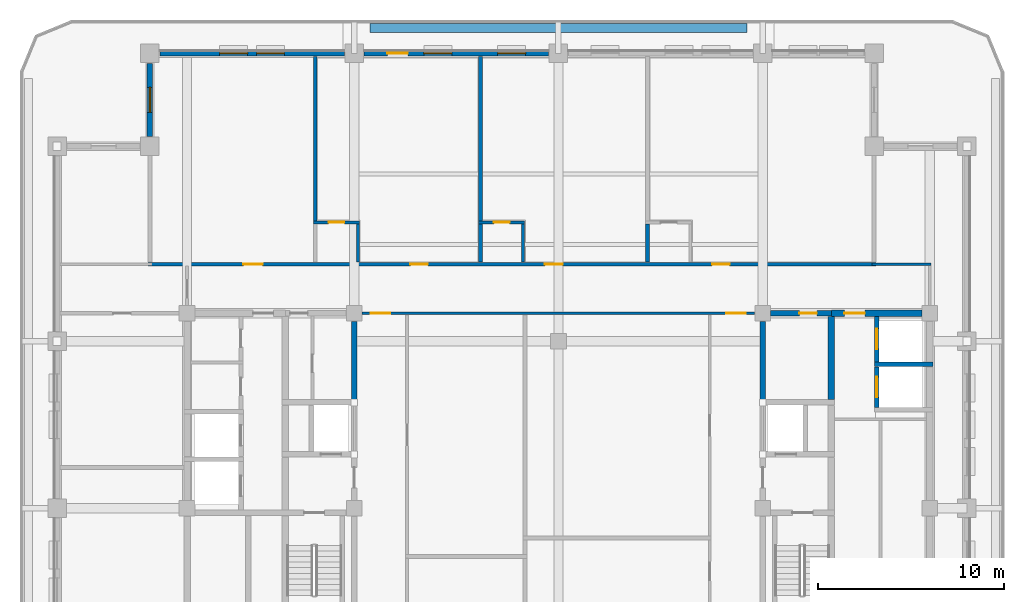
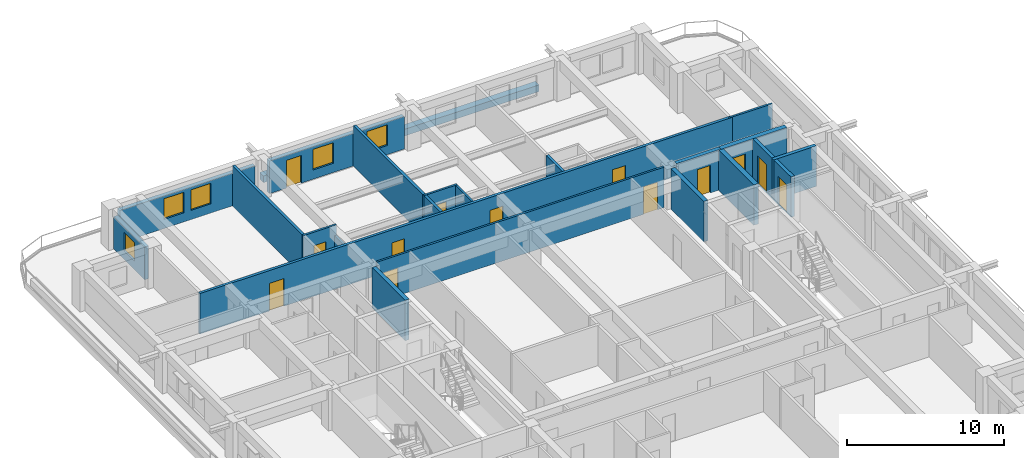
# One storey, part 6 of 14: 23 walls, 13 doors, 5 windows, 18 openings.
"""IFC4 building model written with IfcOpenShell, lengths in metres."""

from ifc_helpers import new_model, si_unit, direction, frame, frame_2d, origin, place, context, subcontext, project, spatial, rectangle, extrude, material, layer, layer_set, type_object, element, fill, save


model = new_model("IFC4")

# Units and contexts
model_context = context("Model", 3, precision=1e-05, world=origin(), true_north=direction((0.0, 1.0)))
body_context = subcontext(model_context, "Body", "Model", "MODEL_VIEW")
ifc_project = project(units=[si_unit("LENGTHUNIT", "METRE"), si_unit("AREAUNIT", "SQUARE_METRE"), si_unit("VOLUMEUNIT", "CUBIC_METRE"), si_unit("PLANEANGLEUNIT", "RADIAN"), si_unit("MASSUNIT", "GRAM", prefix="KILO")], contexts=[model_context])

# Site, building, storey
site_placement = place(None, origin())
site = spatial("IfcSite", under=ifc_project, at=site_placement, CompositionType="ELEMENT")
building_placement = place(site_placement, origin())
building = spatial("IfcBuilding", under=site, at=building_placement, Name="Zulmaris Gate Convention Tower", CompositionType="ELEMENT")
storey_placement = place(building_placement, frame((0.0, 0.0, 211.85986328125)))
storey = spatial("IfcBuildingStorey", under=building, at=storey_placement, Name="L55", CompositionType="ELEMENT", Elevation=211.85986328125)

# Wall
ifc_material_1 = material(Name="Concrete C50/60", Category="concrete")
ifc_layer_1 = layer(ifc_material_1, 0.25, Name="Concrete C50/60")
ifc_layer_set_1 = layer_set([ifc_layer_1], Name="Concrete C50/60")
wall_type_1 = type_object("IfcWallType", Name="CORE-250", PredefinedType="SOLIDWALL", material=ifc_layer_set_1)
wall_1_placement = place(storey_placement, frame((17.02490234375, 7.75, 0.0), z_axis=(0.0, 0.0, 1.0), x_axis=(1.0, 0.0, 0.0)))
element("IfcWall", 1, at=wall_1_placement, inside=storey, type_object=wall_type_1, Name="WL-L55-014", PredefinedType="SOLIDWALL", context=body_context, shape_type="SweptSolid", body=[
    extrude(rectangle(XDim=3.150146484375, YDim=0.25, at=frame_2d((1.5751953125, 0.0))), origin(), (0.0, 0.0, 1.0), 3.150146484375),
])

# Wall, opening, door
wall_2_placement = place(storey_placement, frame((17.14990234375, 5.427001953125, 0.0), z_axis=(0.0, 0.0, 1.0), x_axis=(0.0, 1.0, 0.0)))
wall_2 = element("IfcWall", 2, at=wall_2_placement, inside=storey, type_object=wall_type_1, Name="WL-L55-069", PredefinedType="SOLIDWALL", context=body_context, shape_type="SweptSolid", body=[
    extrude(rectangle(XDim=2.196044921875, YDim=0.25, at=frame_2d((1.09814453125, 0.0))), origin(), (0.0, 0.0, 1.0), 3.150146484375),
])
opening_1_placement = place(wall_2_placement, frame((0.548095703125, 0.0, 0.0)))
opening_1 = element("IfcOpeningElement", 3, at=opening_1_placement, cuts=wall_2, Name="Opening D-06", PredefinedType="OPENING", context=body_context, shape_type="SweptSolid", body=[
    extrude(rectangle(XDim=1.10009765625, YDim=2.199951171875, at=frame_2d((0.550048828125, 1.10009765625))), frame((0.0, 0.135009765625, 0.0), z_axis=(0.0, -1.0, 0.0), x_axis=(1.0, 0.0, 0.0)), (0.0, 0.0, 1.0), 0.27001953125),
])
ifc_material_2 = material(Name="Brushed Stainless Steel", Category="steel")
door_type_1 = type_object("IfcDoorType", Name="LD-1100", OperationType="NOTDEFINED", PredefinedType="DOOR", material=ifc_material_2)
door_1_placement = place(opening_1_placement, origin())
door_1 = element("IfcDoor", 4, at=door_1_placement, inside=storey, type_object=door_type_1, Name="L55 Lift Landing Door HP-01 16", OperationType="SLIDING_TO_RIGHT", OverallHeight=2.199951171875, OverallWidth=1.10009765625, PredefinedType="DOOR", context=body_context, shape_type="SweptSolid", body=[
    extrude(rectangle(XDim=1.10009765625, YDim=2.199951171875, at=frame_2d((0.550048828125, 1.10009765625))), frame((0.0, 0.02490234375, 0.0), z_axis=(0.0, -1.0, 0.0), x_axis=(1.0, 0.0, 0.0)), (0.0, 0.0, 1.0), 0.050048828125),
])
fill(opening_1, door_1)

wall_3_placement = place(storey_placement, frame((17.14990234375, 7.876953125, 0.0), z_axis=(0.0, 0.0, 1.0), x_axis=(0.0, 1.0, 0.0)))
wall_3 = element("IfcWall", 5, at=wall_3_placement, inside=storey, type_object=wall_type_1, Name="WL-L55-070", PredefinedType="SOLIDWALL", context=body_context, shape_type="SweptSolid", body=[
    extrude(rectangle(XDim=2.446044921875, YDim=0.25, at=frame_2d((1.22314453125, 0.0))), origin(), (0.0, 0.0, 1.0), 3.150146484375),
])
opening_2_placement = place(wall_3_placement, frame((0.697998046875, 0.0, 0.0)))
opening_2 = element("IfcOpeningElement", 6, at=opening_2_placement, cuts=wall_3, Name="Opening D-06", PredefinedType="OPENING", context=body_context, shape_type="SweptSolid", body=[
    extrude(rectangle(XDim=1.10009765625, YDim=2.199951171875, at=frame_2d((0.550048828125, 1.10009765625))), frame((0.0, 0.135009765625, 0.0), z_axis=(0.0, -1.0, 0.0), x_axis=(1.0, 0.0, 0.0)), (0.0, 0.0, 1.0), 0.27001953125),
])
door_2_placement = place(opening_2_placement, origin())
door_2 = element("IfcDoor", 7, at=door_2_placement, inside=storey, type_object=door_type_1, Name="L55 Lift Landing Door HP-02 17", OperationType="SLIDING_TO_RIGHT", OverallHeight=2.199951171875, OverallWidth=1.10009765625, PredefinedType="DOOR", context=body_context, shape_type="SweptSolid", body=[
    extrude(rectangle(XDim=1.10009765625, YDim=2.199951171875, at=frame_2d((0.550048828125, 1.10009765625))), frame((0.0, 0.02490234375, 0.0), z_axis=(0.0, -1.0, 0.0), x_axis=(1.0, 0.0, 0.0)), (0.0, 0.0, 1.0), 0.050048828125),
])
fill(opening_2, door_2)

ifc_layer_2 = layer(ifc_material_1, 0.300048828125, Name="Concrete C50/60")
ifc_layer_set_2 = layer_set([ifc_layer_2], Name="Concrete C50/60")
wall_type_2 = type_object("IfcWallType", Name="CORE-300", PredefinedType="SHEAR", material=ifc_layer_set_2)
wall_4_placement = place(storey_placement, frame((11.428955078125, 10.5, 0.0), z_axis=(0.0, 0.0, 1.0), x_axis=(1.0, 0.0, 0.0)))
wall_4 = element("IfcWall", 8, at=wall_4_placement, inside=storey, type_object=wall_type_2, Name="WL-L55-017", PredefinedType="SHEAR", context=body_context, shape_type="SweptSolid", body=[
    extrude(rectangle(XDim=3.27099609375, YDim=0.300048828125, at=frame_2d((1.635498046875, 0.0))), origin(), (0.0, 0.0, 1.0), 3.150146484375),
])
opening_3_placement = place(wall_4_placement, frame((1.5458984375, 0.0, 0.0)))
opening_3 = element("IfcOpeningElement", 9, at=opening_3_placement, cuts=wall_4, Name="Opening D-11", PredefinedType="OPENING", context=body_context, shape_type="SweptSolid", body=[
    extrude(rectangle(XDim=0.949951171875, YDim=2.14990234375, at=frame_2d((0.47509765625, 1.074951171875))), frame((0.0, 0.16015625, 0.0), z_axis=(0.0, -1.0, 0.0), x_axis=(1.0, 0.0, 0.0)), (0.0, 0.0, 1.0), 0.320068359375),
])
ifc_material_3 = material(Name="Fire-Rated Timber", Category="wood")
door_type_2 = type_object("IfcDoorType", Name="DR-950-FD", OperationType="NOTDEFINED", PredefinedType="DOOR", material=ifc_material_3)
door_3_placement = place(opening_3_placement, origin())
door_3 = element("IfcDoor", 10, at=door_3_placement, inside=storey, type_object=door_type_2, Name="L55 Core Tea Pantry Door 09", OperationType="SINGLE_SWING_LEFT", OverallHeight=2.14990234375, OverallWidth=0.949951171875, PredefinedType="DOOR", context=body_context, shape_type="SweptSolid", body=[
    extrude(rectangle(XDim=0.949951171875, YDim=2.14990234375, at=frame_2d((0.47509765625, 1.074951171875))), frame((0.0, 0.02490234375, 0.0), z_axis=(0.0, -1.0, 0.0), x_axis=(1.0, 0.0, 0.0)), (0.0, 0.0, 1.0), 0.050048828125),
])
fill(opening_3, door_3)

# Walls
for number, where, z_axis, x_axis, name in (
    (11, (-11.0, 5.85205078125, 0.0), (0.0, 0.0, 1.0), (0.0, 1.0, 0.0), "WL-L55-058"),
    (12, (11.0, 5.85205078125, 0.0), (0.0, 0.0, 1.0), (0.0, 1.0, 0.0), "WL-L55-062"),
):
    element("IfcWall", number, at=place(storey_placement, frame(where, z_axis=z_axis, x_axis=x_axis)), inside=storey, type_object=wall_type_2, Name=name, PredefinedType="SHEAR", context=body_context, shape_type="SweptSolid", body=[
        extrude(rectangle(XDim=4.218994140625, YDim=0.300048828125, at=frame_2d((2.109375, 0.0))), origin(), (0.0, 0.0, 1.0), 3.150146484375),
    ])

# Wall, opening, door
ifc_material_4 = material(Name="Concrete C55/67", Category="concrete")
ifc_layer_3 = layer(ifc_material_4, 0.35009765625, Name="Concrete C55/67")
ifc_layer_set_3 = layer_set([ifc_layer_3], Name="Concrete C55/67")
wall_type_3 = type_object("IfcWallType", Name="CORE-350", PredefinedType="SHEAR", material=ifc_layer_set_3)
wall_5_placement = place(storey_placement, frame((14.699951171875, 10.5, 0.0), z_axis=(0.0, 0.0, 1.0), x_axis=(1.0, 0.0, 0.0)))
wall_5 = element("IfcWall", 13, at=wall_5_placement, inside=storey, type_object=wall_type_3, Name="WL-L55-018", PredefinedType="SHEAR", context=body_context, shape_type="SweptSolid", body=[
    extrude(rectangle(XDim=4.87109375, YDim=0.35009765625, at=frame_2d((2.435546875, 0.0))), origin(), (0.0, 0.0, 1.0), 3.150146484375),
])
opening_4_placement = place(wall_5_placement, frame((0.699951171875, 0.0, 0.0)))
opening_4 = element("IfcOpeningElement", 14, at=opening_4_placement, cuts=wall_5, Name="Opening D-08", PredefinedType="OPENING", context=body_context, shape_type="SweptSolid", body=[
    extrude(rectangle(XDim=1.10009765625, YDim=2.14990234375, at=frame_2d((0.550048828125, 1.074951171875))), frame((0.0, 0.18505859375, 0.0), z_axis=(0.0, -1.0, 0.0), x_axis=(1.0, 0.0, 0.0)), (0.0, 0.0, 1.0), 0.3701171875),
])
ifc_material_5 = material(Name="Fire-Rated Steel", Category="steel")
door_type_3 = type_object("IfcDoorType", Name="DR-1100-FD", OperationType="NOTDEFINED", PredefinedType="DOOR", material=ifc_material_5)
door_4_placement = place(opening_4_placement, origin())
door_4 = element("IfcDoor", 15, at=door_4_placement, inside=storey, type_object=door_type_3, Name="L55 High-Rise East Lift Lobby Door 18", OperationType="SINGLE_SWING_RIGHT", OverallHeight=2.14990234375, OverallWidth=1.10009765625, PredefinedType="DOOR", context=body_context, shape_type="SweptSolid", body=[
    extrude(rectangle(XDim=1.10009765625, YDim=2.14990234375, at=frame_2d((0.550048828125, 1.074951171875))), frame((0.0, 0.02490234375, 0.0), z_axis=(0.0, -1.0, 0.0), x_axis=(1.0, 0.0, 0.0)), (0.0, 0.0, 1.0), 0.050048828125),
])
fill(opening_4, door_4)

# Wall
wall_6_placement = place(storey_placement, frame((14.699951171875, 5.85205078125, 0.0), z_axis=(0.0, 0.0, 1.0), x_axis=(0.0, 1.0, 0.0)))
element("IfcWall", 16, at=wall_6_placement, inside=storey, type_object=wall_type_3, Name="WL-L55-068", PredefinedType="SHEAR", context=body_context, shape_type="SweptSolid", body=[
    extrude(rectangle(XDim=4.470947265625, YDim=0.35009765625, at=frame_2d((2.2353515625, 0.0))), origin(), (0.0, 0.0, 1.0), 3.150146484375),
])

# Wall, openings, doors
ifc_material_6 = material(Name="Gypsum Metal Stud Partition")
ifc_layer_4 = layer(ifc_material_6, 0.14990234375, Name="Gypsum Metal Stud Partition")
ifc_layer_set_4 = layer_set([ifc_layer_4], Name="Gypsum Metal Stud Partition")
wall_type_4 = type_object("IfcWallType", Name="PART-150", PredefinedType="PARTITIONING", material=ifc_layer_set_4)
wall_7_placement = place(storey_placement, frame((-10.569091796875, 10.5, 0.0), z_axis=(0.0, 0.0, 1.0), x_axis=(1.0, 0.0, 0.0)))
wall_7 = element("IfcWall", 17, at=wall_7_placement, inside=storey, type_object=wall_type_4, Name="WL-L55-035", PredefinedType="PARTITIONING", context=body_context, shape_type="SweptSolid", body=[
    extrude(rectangle(XDim=21.13818359375, YDim=0.14990234375, at=frame_2d((10.569091796875, 0.0))), origin(), (0.0, 0.0, 1.0), 3.150146484375),
])
opening_5_placement = place(wall_7_placement, frame((0.47412109375, 0.0, 0.0)))
opening_5 = element("IfcOpeningElement", 18, at=opening_5_placement, cuts=wall_7, Name="Opening D-09", PredefinedType="OPENING", context=body_context, shape_type="SweptSolid", body=[
    extrude(rectangle(XDim=1.050048828125, YDim=2.14990234375, at=frame_2d((0.52490234375, 1.074951171875))), frame((0.0, 0.0849609375, 0.0), z_axis=(0.0, -1.0, 0.0), x_axis=(1.0, 0.0, 0.0)), (0.0, 0.0, 1.0), 0.169921875),
])
opening_6_placement = place(wall_7_placement, frame((19.614013671875, 0.0, 0.0)))
opening_6 = element("IfcOpeningElement", 19, at=opening_6_placement, cuts=wall_7, Name="Opening D-09", PredefinedType="OPENING", context=body_context, shape_type="SweptSolid", body=[
    extrude(rectangle(XDim=1.050048828125, YDim=2.14990234375, at=frame_2d((0.52490234375, 1.074951171875))), frame((0.0, 0.0849609375, 0.0), z_axis=(0.0, -1.0, 0.0), x_axis=(1.0, 0.0, 0.0)), (0.0, 0.0, 1.0), 0.169921875),
])
door_type_4 = type_object("IfcDoorType", Name="DR-1050-FD", OperationType="NOTDEFINED", PredefinedType="DOOR", material=ifc_material_5)
door_5_placement = place(opening_5_placement, origin())
door_5 = element("IfcDoor", 20, at=door_5_placement, inside=storey, type_object=door_type_4, Name="L55 NW Hotel Loop Door 21", OperationType="SINGLE_SWING_LEFT", OverallHeight=2.14990234375, OverallWidth=1.050048828125, PredefinedType="DOOR", context=body_context, shape_type="SweptSolid", body=[
    extrude(rectangle(XDim=1.050048828125, YDim=2.14990234375, at=frame_2d((0.52490234375, 1.074951171875))), frame((0.0, 0.02490234375, 0.0), z_axis=(0.0, -1.0, 0.0), x_axis=(1.0, 0.0, 0.0)), (0.0, 0.0, 1.0), 0.050048828125),
])
fill(opening_5, door_5)
door_6_placement = place(opening_6_placement, origin())
door_6 = element("IfcDoor", 21, at=door_6_placement, inside=storey, type_object=door_type_4, Name="L55 NE Hotel Loop Door 23", OperationType="SINGLE_SWING_LEFT", OverallHeight=2.14990234375, OverallWidth=1.050048828125, PredefinedType="DOOR", context=body_context, shape_type="SweptSolid", body=[
    extrude(rectangle(XDim=1.050048828125, YDim=2.14990234375, at=frame_2d((0.52490234375, 1.074951171875))), frame((0.0, 0.02490234375, 0.0), z_axis=(0.0, -1.0, 0.0), x_axis=(1.0, 0.0, 0.0)), (0.0, 0.0, 1.0), 0.050048828125),
])
fill(opening_6, door_6)

# Wall
wall_8_placement = place(storey_placement, frame((16.89990234375, 13.14990234375, 0.0), z_axis=(0.0, 0.0, 1.0), x_axis=(1.0, 0.0, 0.0)))
element("IfcWall", 22, at=wall_8_placement, inside=storey, type_object=wall_type_4, Name="WL-L55-038", PredefinedType="PARTITIONING", context=body_context, shape_type="SweptSolid", body=[
    extrude(rectangle(XDim=3.175048828125, YDim=0.14990234375, at=frame_2d((1.58740234375, 0.0))), origin(), (0.0, 0.0, 1.0), 3.150146484375),
])

# Wall, opening, door
wall_9_placement = place(storey_placement, frame((-13.199951171875, 15.39990234375, 0.0), z_axis=(0.0, 0.0, 1.0), x_axis=(1.0, 0.0, 0.0)))
wall_9 = element("IfcWall", 23, at=wall_9_placement, inside=storey, type_object=wall_type_4, Name="WL-L55-039", PredefinedType="PARTITIONING", context=body_context, shape_type="SweptSolid", body=[
    extrude(rectangle(XDim=2.474853515625, YDim=0.14990234375, at=frame_2d((1.2373046875, 0.0))), origin(), (0.0, 0.0, 1.0), 3.150146484375),
])
opening_7_placement = place(wall_9_placement, frame((0.824951171875, 0.0, 0.0)))
opening_7 = element("IfcOpeningElement", 24, at=opening_7_placement, cuts=wall_9, Name="Opening D-17", PredefinedType="OPENING", context=body_context, shape_type="SweptSolid", body=[
    extrude(rectangle(XDim=0.85009765625, YDim=2.10009765625, at=frame_2d((0.425048828125, 1.050048828125))), frame((0.0, 0.0849609375, 0.0), z_axis=(0.0, -1.0, 0.0), x_axis=(1.0, 0.0, 0.0)), (0.0, 0.0, 1.0), 0.169921875),
])
ifc_material_7 = material(Name="Moisture-Resistant Hardwood Timber", Category="wood")
door_type_5 = type_object("IfcDoorType", Name="DR-850", OperationType="NOTDEFINED", PredefinedType="DOOR", material=ifc_material_7)
door_7_placement = place(opening_7_placement, origin())
door_7 = element("IfcDoor", 25, at=door_7_placement, inside=storey, type_object=door_type_5, Name="L55 En-Suite Door 27", OperationType="SINGLE_SWING_LEFT", OverallHeight=2.10009765625, OverallWidth=0.85009765625, PredefinedType="DOOR", context=body_context, shape_type="SweptSolid", body=[
    extrude(rectangle(XDim=0.85009765625, YDim=2.10009765625, at=frame_2d((0.425048828125, 1.050048828125))), frame((0.0, 0.02490234375, 0.0), z_axis=(0.0, -1.0, 0.0), x_axis=(1.0, 0.0, 0.0)), (0.0, 0.0, 1.0), 0.050048828125),
])
fill(opening_7, door_7)

wall_10_placement = place(storey_placement, frame((-4.300048828125, 15.39990234375, 0.0), z_axis=(0.0, 0.0, 1.0), x_axis=(1.0, 0.0, 0.0)))
wall_10 = element("IfcWall", 26, at=wall_10_placement, inside=storey, type_object=wall_type_4, Name="WL-L55-040", PredefinedType="PARTITIONING", context=body_context, shape_type="SweptSolid", body=[
    extrude(rectangle(XDim=2.47509765625, YDim=0.14990234375, at=frame_2d((1.237548828125, 0.0))), origin(), (0.0, 0.0, 1.0), 3.150146484375),
])
opening_8_placement = place(wall_10_placement, frame((0.824951171875, 0.0, 0.0)))
opening_8 = element("IfcOpeningElement", 27, at=opening_8_placement, cuts=wall_10, Name="Opening D-17", PredefinedType="OPENING", context=body_context, shape_type="SweptSolid", body=[
    extrude(rectangle(XDim=0.85009765625, YDim=2.10009765625, at=frame_2d((0.425048828125, 1.050048828125))), frame((0.0, 0.0849609375, 0.0), z_axis=(0.0, -1.0, 0.0), x_axis=(1.0, 0.0, 0.0)), (0.0, 0.0, 1.0), 0.169921875),
])
door_8_placement = place(opening_8_placement, origin())
door_8 = element("IfcDoor", 28, at=door_8_placement, inside=storey, type_object=door_type_5, Name="L55 En-Suite Door 29", OperationType="SINGLE_SWING_LEFT", OverallHeight=2.10009765625, OverallWidth=0.85009765625, PredefinedType="DOOR", context=body_context, shape_type="SweptSolid", body=[
    extrude(rectangle(XDim=0.85009765625, YDim=2.10009765625, at=frame_2d((0.425048828125, 1.050048828125))), frame((0.0, 0.02490234375, 0.0), z_axis=(0.0, -1.0, 0.0), x_axis=(1.0, 0.0, 0.0)), (0.0, 0.0, 1.0), 0.050048828125),
])
fill(opening_8, door_8)

# Walls
wall_11_placement = place(storey_placement, frame((-10.800048828125, 13.2529296875, 0.0), z_axis=(0.0, 0.0, 1.0), x_axis=(0.0, 1.0, 0.0)))
element("IfcWall", 29, at=wall_11_placement, inside=storey, type_object=wall_type_4, Name="WL-L55-088", PredefinedType="PARTITIONING", context=body_context, shape_type="SweptSolid", body=[
    extrude(rectangle(XDim=2.069091796875, YDim=0.14990234375, at=frame_2d((1.03466796875, 0.0))), origin(), (0.0, 0.0, 1.0), 2.342041015625),
])
wall_12_placement = place(storey_placement, frame((-1.89990234375, 13.2529296875, 0.0), z_axis=(0.0, 0.0, 1.0), x_axis=(0.0, 1.0, 0.0)))
element("IfcWall", 30, at=wall_12_placement, inside=storey, type_object=wall_type_4, Name="WL-L55-096", PredefinedType="PARTITIONING", context=body_context, shape_type="SweptSolid", body=[
    extrude(rectangle(XDim=2.069091796875, YDim=0.14990234375, at=frame_2d((1.03466796875, 0.0))), origin(), (0.0, 0.0, 1.0), 3.150146484375),
])

# Wall, openings, doors
ifc_material_8 = material(Name="Autoclaved Aerated Concrete Block and Plasterboard", Category="concrete")
ifc_layer_5 = layer(ifc_material_8, 0.199951171875, Name="Autoclaved Aerated Concrete Block and Plasterboard")
ifc_layer_set_5 = layer_set([ifc_layer_5], Name="Autoclaved Aerated Concrete Block and Plasterboard")
wall_type_5 = type_object("IfcWallType", Name="PART-200", PredefinedType="PARTITIONING", material=ifc_layer_set_5)
wall_13_placement = place(storey_placement, frame((-22.10009765625, 13.14990234375, 0.0), z_axis=(0.0, 0.0, 1.0), x_axis=(1.0, 0.0, 0.0)))
wall_13 = element("IfcWall", 31, at=wall_13_placement, inside=storey, type_object=wall_type_5, Name="WL-L55-037", PredefinedType="PARTITIONING", context=body_context, shape_type="SweptSolid", body=[
    extrude(rectangle(XDim=39.2001953125, YDim=0.199951171875, at=frame_2d((19.60009765625, 0.0))), origin(), (0.0, 0.0, 1.0), 3.150146484375),
])
opening_9_placement = place(wall_13_placement, frame((5.125, 0.0, 0.0)))
opening_9 = element("IfcOpeningElement", 32, at=opening_9_placement, cuts=wall_13, Name="Opening D-09", PredefinedType="OPENING", context=body_context, shape_type="SweptSolid", body=[
    extrude(rectangle(XDim=1.050048828125, YDim=2.14990234375, at=frame_2d((0.52490234375, 1.074951171875))), frame((0.0, 0.10986328125, 0.0), z_axis=(0.0, -1.0, 0.0), x_axis=(1.0, 0.0, 0.0)), (0.0, 0.0, 1.0), 0.219970703125),
])
opening_10_placement = place(wall_13_placement, frame((14.125, 0.0, 0.0)))
opening_10 = element("IfcOpeningElement", 33, at=opening_10_placement, cuts=wall_13, Name="Opening D-11", PredefinedType="OPENING", context=body_context, shape_type="SweptSolid", body=[
    extrude(rectangle(XDim=0.949951171875, YDim=2.14990234375, at=frame_2d((0.47509765625, 1.074951171875))), frame((0.0, 0.10986328125, 0.0), z_axis=(0.0, -1.0, 0.0), x_axis=(1.0, 0.0, 0.0)), (0.0, 0.0, 1.0), 0.219970703125),
])
opening_11_placement = place(wall_13_placement, frame((21.375, 0.0, 0.0)))
opening_11 = element("IfcOpeningElement", 34, at=opening_11_placement, cuts=wall_13, Name="Opening D-11", PredefinedType="OPENING", context=body_context, shape_type="SweptSolid", body=[
    extrude(rectangle(XDim=0.949951171875, YDim=2.14990234375, at=frame_2d((0.47509765625, 1.074951171875))), frame((0.0, 0.10986328125, 0.0), z_axis=(0.0, -1.0, 0.0), x_axis=(1.0, 0.0, 0.0)), (0.0, 0.0, 1.0), 0.219970703125),
])
opening_12_placement = place(wall_13_placement, frame((30.375, 0.0, 0.0)))
opening_12 = element("IfcOpeningElement", 35, at=opening_12_placement, cuts=wall_13, Name="Opening D-11", PredefinedType="OPENING", context=body_context, shape_type="SweptSolid", body=[
    extrude(rectangle(XDim=0.949951171875, YDim=2.14990234375, at=frame_2d((0.47509765625, 1.074951171875))), frame((0.0, 0.10986328125, 0.0), z_axis=(0.0, -1.0, 0.0), x_axis=(1.0, 0.0, 0.0)), (0.0, 0.0, 1.0), 0.219970703125),
])
door_9_placement = place(opening_9_placement, origin())
door_9 = element("IfcDoor", 36, at=door_9_placement, inside=storey, type_object=door_type_4, Name="L55 Hotel Diplomatic Reception Salon Door 25", OperationType="SINGLE_SWING_LEFT", OverallHeight=2.14990234375, OverallWidth=1.050048828125, PredefinedType="DOOR", context=body_context, shape_type="SweptSolid", body=[
    extrude(rectangle(XDim=1.050048828125, YDim=2.14990234375, at=frame_2d((0.52490234375, 1.074951171875))), frame((0.0, 0.02490234375, 0.0), z_axis=(0.0, -1.0, 0.0), x_axis=(1.0, 0.0, 0.0)), (0.0, 0.0, 1.0), 0.050048828125),
])
fill(opening_9, door_9)
door_10_placement = place(opening_10_placement, origin())
door_10 = element("IfcDoor", 37, at=door_10_placement, inside=storey, type_object=door_type_2, Name="L55 Hotel Diplomatic Suite Door 26", OperationType="SINGLE_SWING_RIGHT", OverallHeight=2.14990234375, OverallWidth=0.949951171875, PredefinedType="DOOR", context=body_context, shape_type="SweptSolid", body=[
    extrude(rectangle(XDim=0.949951171875, YDim=2.14990234375, at=frame_2d((0.47509765625, 1.074951171875))), frame((0.0, 0.02490234375, 0.0), z_axis=(0.0, -1.0, 0.0), x_axis=(1.0, 0.0, 0.0)), (0.0, 0.0, 1.0), 0.050048828125),
])
fill(opening_10, door_10)
door_11_placement = place(opening_11_placement, origin())
door_11 = element("IfcDoor", 38, at=door_11_placement, inside=storey, type_object=door_type_2, Name="L55 Hotel Diplomatic Suite Door 28", OperationType="SINGLE_SWING_RIGHT", OverallHeight=2.14990234375, OverallWidth=0.949951171875, PredefinedType="DOOR", context=body_context, shape_type="SweptSolid", body=[
    extrude(rectangle(XDim=0.949951171875, YDim=2.14990234375, at=frame_2d((0.47509765625, 1.074951171875))), frame((0.0, 0.02490234375, 0.0), z_axis=(0.0, -1.0, 0.0), x_axis=(1.0, 0.0, 0.0)), (0.0, 0.0, 1.0), 0.050048828125),
])
fill(opening_11, door_11)
door_12_placement = place(opening_12_placement, origin())
door_12 = element("IfcDoor", 39, at=door_12_placement, inside=storey, type_object=door_type_2, Name="L55 Hotel Diplomatic Suite Door 30", OperationType="SINGLE_SWING_RIGHT", OverallHeight=2.14990234375, OverallWidth=0.949951171875, PredefinedType="DOOR", context=body_context, shape_type="SweptSolid", body=[
    extrude(rectangle(XDim=0.949951171875, YDim=2.14990234375, at=frame_2d((0.47509765625, 1.074951171875))), frame((0.0, 0.02490234375, 0.0), z_axis=(0.0, -1.0, 0.0), x_axis=(1.0, 0.0, 0.0)), (0.0, 0.0, 1.0), 0.050048828125),
])
fill(opening_12, door_12)

# Walls
wall_14_placement = place(storey_placement, frame((-13.10009765625, 15.47802734375, 0.0), z_axis=(0.0, 0.0, 1.0), x_axis=(0.0, 1.0, 0.0)))
element("IfcWall", 40, at=wall_14_placement, inside=storey, type_object=wall_type_5, Name="WL-L55-086", PredefinedType="PARTITIONING", context=body_context, shape_type="SweptSolid", body=[
    extrude(rectangle(XDim=8.85693359375, YDim=0.199951171875, at=frame_2d((4.428466796875, 0.0))), origin(), (0.0, 0.0, 1.0), 3.150146484375),
])
wall_15_placement = place(storey_placement, frame((-4.199951171875, 13.2529296875, 0.0), z_axis=(0.0, 0.0, 1.0), x_axis=(0.0, 1.0, 0.0)))
element("IfcWall", 41, at=wall_15_placement, inside=storey, type_object=wall_type_5, Name="WL-L55-093", PredefinedType="PARTITIONING", context=body_context, shape_type="SweptSolid", body=[
    extrude(rectangle(XDim=2.069091796875, YDim=0.199951171875, at=frame_2d((1.03466796875, 0.0))), origin(), (0.0, 0.0, 1.0), 3.150146484375),
])
wall_16_placement = place(storey_placement, frame((-4.199951171875, 15.47802734375, 0.0), z_axis=(0.0, 0.0, 1.0), x_axis=(0.0, 1.0, 0.0)))
element("IfcWall", 42, at=wall_16_placement, inside=storey, type_object=wall_type_5, Name="WL-L55-094", PredefinedType="PARTITIONING", context=body_context, shape_type="SweptSolid", body=[
    extrude(rectangle(XDim=8.85693359375, YDim=0.199951171875, at=frame_2d((4.428466796875, 0.0))), origin(), (0.0, 0.0, 1.0), 3.150146484375),
])
wall_17_placement = place(storey_placement, frame((4.800048828125, 13.2529296875, 0.0), z_axis=(0.0, 0.0, 1.0), x_axis=(0.0, 1.0, 0.0)))
element("IfcWall", 43, at=wall_17_placement, inside=storey, type_object=wall_type_5, Name="WL-L55-103", PredefinedType="PARTITIONING", context=body_context, shape_type="SweptSolid", body=[
    extrude(rectangle(XDim=2.069091796875, YDim=0.199951171875, at=frame_2d((1.03466796875, 0.0))), origin(), (0.0, 0.0, 1.0), 3.150146484375),
])
ifc_material_9 = material(Name="Botanical Green Glazed Precast Concrete C40/50", Category="concrete")
ifc_layer_6 = layer(ifc_material_9, 0.419921875, Name="Botanical Green Glazed Precast Concrete C40/50")
ifc_layer_set_6 = layer_set([ifc_layer_6], Name="Botanical Green Glazed Precast Concrete C40/50")
wall_type_6 = type_object("IfcWallType", Name="PLANTER-CURB-200", PredefinedType="PARAPET", material=ifc_layer_set_6)
wall_18_placement = place(storey_placement, frame((-10.14990234375, 25.8798828125, -0.0400390625), z_axis=(0.0, 0.0, 1.0), x_axis=(1.0, 0.0, 0.0)))
element("IfcWall", 44, at=wall_18_placement, inside=storey, type_object=wall_type_6, Name="L55 Full-Length Balcony Tree Planter Trough", PredefinedType="PARAPET", context=body_context, shape_type="SweptSolid", body=[
    extrude(rectangle(XDim=20.2998046875, YDim=0.47998046875, at=frame_2d((10.14990234375, 0.0))), origin(), (0.0, 0.0, 1.0), 0.52001953125),
])

# Wall, opening, window
ifc_material_10 = material(Name="Precast concrete C40/50", Category="concrete")
ifc_layer_7 = layer(ifc_material_10, 0.300048828125, Name="Precast concrete C40/50")
ifc_layer_set_7 = layer_set([ifc_layer_7], Name="Precast concrete C40/50")
wall_type_7 = type_object("IfcWallType", Name="PRECAST-PIER-300", PredefinedType="STANDARD", material=ifc_layer_set_7)
wall_19_placement = place(storey_placement, frame((-22.0, 23.969970703125, 0.0), z_axis=(0.0, 0.0, 1.0), x_axis=(0.0, -1.0, 0.0)))
wall_19 = element("IfcWall", 45, at=wall_19_placement, inside=storey, type_object=wall_type_7, Name="EW-L55-NOTCH-NW1_0", PredefinedType="STANDARD", context=body_context, shape_type="SweptSolid", body=[
    extrude(rectangle(XDim=3.93994140625, YDim=0.300048828125, at=frame_2d((1.969970703125, 0.0))), origin(), (0.0, 0.0, 1.0), 2.542236328125),
])
opening_13_placement = place(wall_19_placement, frame((1.294921875, 0.0, 0.679931640625)))
opening_13 = element("IfcOpeningElement", 46, at=opening_13_placement, cuts=wall_19, Name="Opening W-10", PredefinedType="OPENING", context=body_context, shape_type="SweptSolid", body=[
    extrude(rectangle(XDim=1.35009765625, YDim=1.419921875, at=frame_2d((0.675048828125, 0.7099609375))), frame((0.0, 0.16015625, 0.0), z_axis=(0.0, -1.0, 0.0), x_axis=(1.0, 0.0, 0.0)), (0.0, 0.0, 1.0), 0.320068359375),
])
ifc_material_11 = material(Name="Low-E Laminated Double Glazing in Aluminium Frame", Category="aluminium")
window_type_1 = type_object("IfcWindowType", Name="WIN-1350x2000", PartitioningType="SINGLE_PANEL", PredefinedType="WINDOW", material=ifc_material_11)
window_1_placement = place(opening_13_placement, origin())
window_1 = element("IfcWindow", 47, at=window_1_placement, inside=storey, type_object=window_type_1, Name="WN-EW-L55-NOTCH-NW1_0", OverallHeight=1.419921875, OverallWidth=1.35009765625, PartitioningType="SINGLE_PANEL", PredefinedType="WINDOW", context=body_context, shape_type="SweptSolid", body=[
    extrude(rectangle(XDim=1.35009765625, YDim=1.419921875, at=frame_2d((0.675048828125, 0.7099609375))), frame((0.0, 0.030029296875, 0.0), z_axis=(0.0, -1.0, 0.0), x_axis=(1.0, 0.0, 0.0)), (0.0, 0.0, 1.0), 0.06005859375),
])
fill(opening_13, window_1)

# Wall, openings, windows
wall_20_placement = place(storey_placement, frame((-11.530029296875, 24.5, 0.0), z_axis=(0.0, 0.0, 1.0), x_axis=(-1.0, 0.0, 0.0)))
wall_20 = element("IfcWall", 48, at=wall_20_placement, inside=storey, type_object=wall_type_7, Name="EW-L55-N-0_0", PredefinedType="STANDARD", context=body_context, shape_type="SweptSolid", body=[
    extrude(rectangle(XDim=9.93994140625, YDim=0.300048828125, at=frame_2d((4.969970703125, 0.0))), origin(), (0.0, 0.0, 1.0), 2.542236328125),
])
opening_14_placement = place(wall_20_placement, frame((3.22607421875, 0.0, 0.719970703125)))
opening_14 = element("IfcOpeningElement", 49, at=opening_14_placement, cuts=wall_20, Name="Opening W-03", PredefinedType="OPENING", context=body_context, shape_type="SweptSolid", body=[
    extrude(rectangle(XDim=1.5, YDim=1.60009765625, at=frame_2d((0.75, 0.800048828125))), frame((0.0, 0.16015625, 0.0), z_axis=(0.0, -1.0, 0.0), x_axis=(1.0, 0.0, 0.0)), (0.0, 0.0, 1.0), 0.320068359375),
])
opening_15_placement = place(wall_20_placement, frame((5.214111328125, 0.0, 0.719970703125)))
opening_15 = element("IfcOpeningElement", 50, at=opening_15_placement, cuts=wall_20, Name="Opening W-03", PredefinedType="OPENING", context=body_context, shape_type="SweptSolid", body=[
    extrude(rectangle(XDim=1.5, YDim=1.60009765625, at=frame_2d((0.75, 0.800048828125))), frame((0.0, 0.16015625, 0.0), z_axis=(0.0, -1.0, 0.0), x_axis=(1.0, 0.0, 0.0)), (0.0, 0.0, 1.0), 0.320068359375),
])
window_type_2 = type_object("IfcWindowType", Name="WIN-1500x2100", PartitioningType="SINGLE_PANEL", PredefinedType="WINDOW", material=ifc_material_11)
window_2_placement = place(opening_14_placement, origin())
window_2 = element("IfcWindow", 51, at=window_2_placement, inside=storey, type_object=window_type_2, Name="WN-EW-L55-N-0_0-2", OverallHeight=1.60009765625, OverallWidth=1.5, PartitioningType="SINGLE_PANEL", PredefinedType="WINDOW", context=body_context, shape_type="SweptSolid", body=[
    extrude(rectangle(XDim=1.5, YDim=1.60009765625, at=frame_2d((0.75, 0.800048828125))), frame((0.0, 0.030029296875, 0.0), z_axis=(0.0, -1.0, 0.0), x_axis=(1.0, 0.0, 0.0)), (0.0, 0.0, 1.0), 0.06005859375),
])
fill(opening_14, window_2)
window_3_placement = place(opening_15_placement, origin())
window_3 = element("IfcWindow", 52, at=window_3_placement, inside=storey, type_object=window_type_2, Name="WN-EW-L55-N-0_0-3", OverallHeight=1.60009765625, OverallWidth=1.5, PartitioningType="SINGLE_PANEL", PredefinedType="WINDOW", context=body_context, shape_type="SweptSolid", body=[
    extrude(rectangle(XDim=1.5, YDim=1.60009765625, at=frame_2d((0.75, 0.800048828125))), frame((0.0, 0.030029296875, 0.0), z_axis=(0.0, -1.0, 0.0), x_axis=(1.0, 0.0, 0.0)), (0.0, 0.0, 1.0), 0.06005859375),
])
fill(opening_15, window_3)

# Wall, openings, door, windows
wall_21_placement = place(storey_placement, frame((-0.530029296875, 24.5, 0.0), z_axis=(0.0, 0.0, 1.0), x_axis=(-1.0, 0.0, 0.0)))
wall_21 = element("IfcWall", 53, at=wall_21_placement, inside=storey, type_object=wall_type_7, Name="EW-L55-N-1_0", PredefinedType="STANDARD", context=body_context, shape_type="SweptSolid", body=[
    extrude(rectangle(XDim=9.93994140625, YDim=0.300048828125, at=frame_2d((4.969970703125, 0.0))), origin(), (0.0, 0.0, 1.0), 2.542236328125),
])
opening_16_placement = place(wall_21_placement, frame((7.5849609375, 0.0, 0.0)))
opening_16 = element("IfcOpeningElement", 54, at=opening_16_placement, cuts=wall_21, Name="Opening D-04", PredefinedType="OPENING", context=body_context, shape_type="SweptSolid", body=[
    extrude(rectangle(XDim=1.10009765625, YDim=2.14990234375, at=frame_2d((0.550048828125, 1.074951171875))), frame((0.0, 0.16015625, 0.0), z_axis=(0.0, -1.0, 0.0), x_axis=(1.0, 0.0, 0.0)), (0.0, 0.0, 1.0), 0.320068359375),
])
opening_17_placement = place(wall_21_placement, frame((1.238037109375, 0.0, 0.719970703125)))
opening_17 = element("IfcOpeningElement", 55, at=opening_17_placement, cuts=wall_21, Name="Opening W-03", PredefinedType="OPENING", context=body_context, shape_type="SweptSolid", body=[
    extrude(rectangle(XDim=1.5, YDim=1.60009765625, at=frame_2d((0.75, 0.800048828125))), frame((0.0, 0.16015625, 0.0), z_axis=(0.0, -1.0, 0.0), x_axis=(1.0, 0.0, 0.0)), (0.0, 0.0, 1.0), 0.320068359375),
])
opening_18_placement = place(wall_21_placement, frame((5.214111328125, 0.0, 0.719970703125)))
opening_18 = element("IfcOpeningElement", 56, at=opening_18_placement, cuts=wall_21, Name="Opening W-03", PredefinedType="OPENING", context=body_context, shape_type="SweptSolid", body=[
    extrude(rectangle(XDim=1.5, YDim=1.60009765625, at=frame_2d((0.75, 0.800048828125))), frame((0.0, 0.16015625, 0.0), z_axis=(0.0, -1.0, 0.0), x_axis=(1.0, 0.0, 0.0)), (0.0, 0.0, 1.0), 0.320068359375),
])
ifc_material_12 = material(Name="Anodised Aluminium and Laminated Glass", Category="aluminium")
door_type_6 = type_object("IfcDoorType", Name="ED-1100", OperationType="SINGLE_SWING_RIGHT", PredefinedType="DOOR", material=ifc_material_12)
door_13_placement = place(opening_16_placement, origin())
door_13 = element("IfcDoor", 57, at=door_13_placement, inside=storey, type_object=door_type_6, Name="L55 N Planted Terrace Door", OperationType="SINGLE_SWING_LEFT", OverallHeight=2.14990234375, OverallWidth=1.10009765625, PredefinedType="DOOR", context=body_context, shape_type="SweptSolid", body=[
    extrude(rectangle(XDim=1.10009765625, YDim=2.14990234375, at=frame_2d((0.550048828125, 1.074951171875))), frame((0.0, 0.02490234375, 0.0), z_axis=(0.0, -1.0, 0.0), x_axis=(1.0, 0.0, 0.0)), (0.0, 0.0, 1.0), 0.050048828125),
])
fill(opening_16, door_13)
window_4_placement = place(opening_17_placement, origin())
window_4 = element("IfcWindow", 58, at=window_4_placement, inside=storey, type_object=window_type_2, Name="WN-EW-L55-N-1_0-1", OverallHeight=1.60009765625, OverallWidth=1.5, PartitioningType="SINGLE_PANEL", PredefinedType="WINDOW", context=body_context, shape_type="SweptSolid", body=[
    extrude(rectangle(XDim=1.5, YDim=1.60009765625, at=frame_2d((0.75, 0.800048828125))), frame((0.0, 0.030029296875, 0.0), z_axis=(0.0, -1.0, 0.0), x_axis=(1.0, 0.0, 0.0)), (0.0, 0.0, 1.0), 0.06005859375),
])
fill(opening_17, window_4)
window_5_placement = place(opening_18_placement, origin())
window_5 = element("IfcWindow", 59, at=window_5_placement, inside=storey, type_object=window_type_2, Name="WN-EW-L55-N-1_0-3", OverallHeight=1.60009765625, OverallWidth=1.5, PartitioningType="SINGLE_PANEL", PredefinedType="WINDOW", context=body_context, shape_type="SweptSolid", body=[
    extrude(rectangle(XDim=1.5, YDim=1.60009765625, at=frame_2d((0.75, 0.800048828125))), frame((0.0, 0.030029296875, 0.0), z_axis=(0.0, -1.0, 0.0), x_axis=(1.0, 0.0, 0.0)), (0.0, 0.0, 1.0), 0.06005859375),
])
fill(opening_18, window_5)

save(model, "model.ifc")
